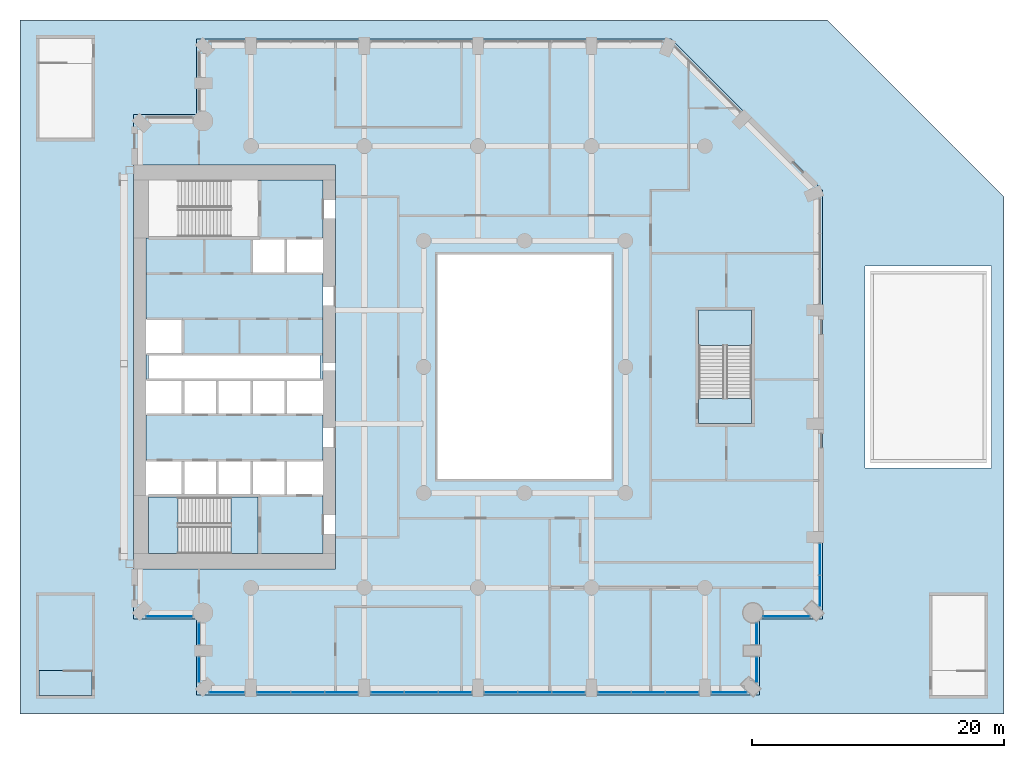
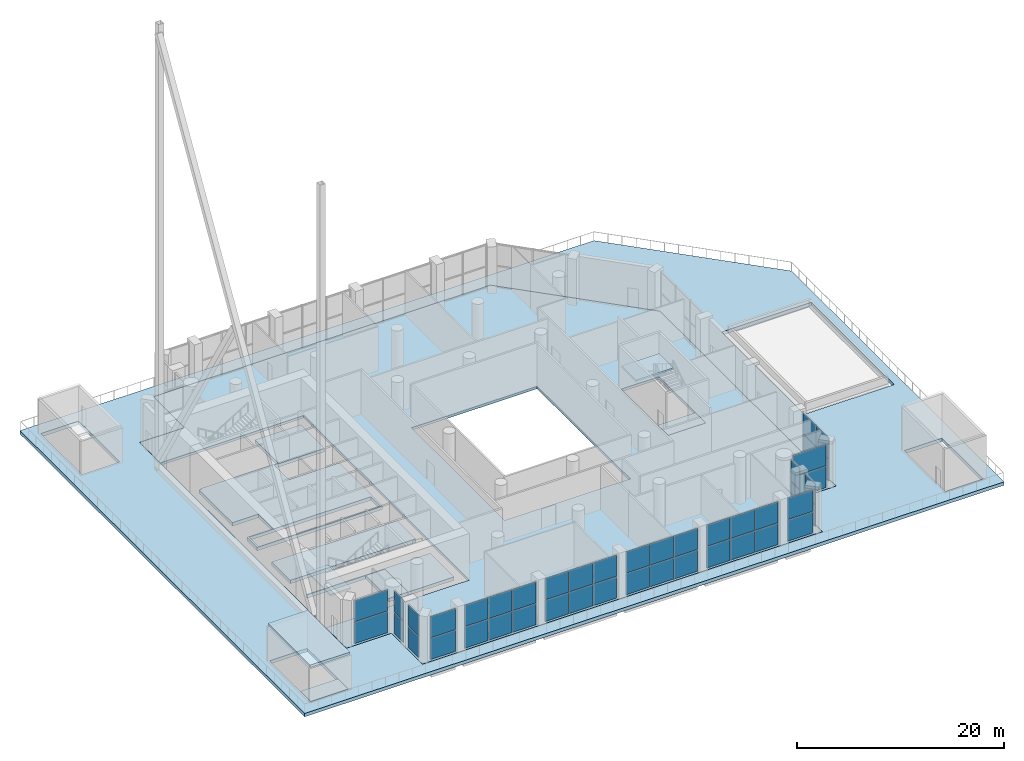
# One storey, part 11 of 26: 44 plates, 11 slabs, 15 elements without a shape of their own.
"""IFC4 building model written with IfcOpenShell, lengths in metres."""

from ifc_helpers import new_model, si_unit, direction, frame, origin, origin_2d, place, context, subcontext, project, spatial, polyline, rectangle, outline, extrude, material, layer, layer_set, type_object, element, aggregate, save


model = new_model("IFC4")

# Units and contexts
model_context = context("Model", 3, precision=1e-05, world=origin(), true_north=direction((0.0, 1.0)))
body_context = subcontext(model_context, "Body", "Model", "MODEL_VIEW")
ifc_project = project(units=[si_unit("LENGTHUNIT", "METRE"), si_unit("AREAUNIT", "SQUARE_METRE"), si_unit("VOLUMEUNIT", "CUBIC_METRE"), si_unit("PLANEANGLEUNIT", "RADIAN"), si_unit("MASSUNIT", "GRAM", prefix="KILO")], contexts=[model_context])

# Site, building, storey
site_placement = place(None, origin())
site = spatial("IfcSite", under=ifc_project, at=site_placement, CompositionType="ELEMENT")
building_placement = place(site_placement, origin())
building = spatial("IfcBuilding", under=site, at=building_placement, Name="Cypress Arch Tower", CompositionType="ELEMENT")
storey_placement = place(building_placement, frame((0.0, 0.0, 50.0)))
storey = spatial("IfcBuildingStorey", under=building, at=storey_placement, Name="L06", CompositionType="ELEMENT", Elevation=50.0)

# Slabs
ifc_material_1 = material(Name="Concrete C40/50", Category="concrete")
ifc_layer_1 = layer(ifc_material_1, 0.300048828125)
ifc_layer_set_1 = layer_set([ifc_layer_1], Name="Core floor CF300")
slab_type_1 = type_object("IfcSlabType", Name="Core floor CF300", PredefinedType="FLOOR", material=ifc_layer_set_1)
slab_1_placement = place(storey_placement, frame((0.0, 0.0, -0.300048828125)))
element("IfcSlab", 1, at=slab_1_placement, inside=storey, type_object=slab_type_1, Name="Stair floor landing", PredefinedType="FLOOR", context=body_context, shape_type="SweptSolid", body=[
    extrude(outline(polyline([(19.0, -4.5), (19.0, -2.5), (14.800048828125, -2.5), (14.800048828125, -4.5), (19.0, -4.5)])), origin(), (0.0, 0.0, 1.0), 0.300048828125),
])
slab_2_placement = place(storey_placement, frame((0.0, 0.0, -0.300048828125)))
element("IfcSlab", 2, at=slab_2_placement, inside=storey, type_object=slab_type_1, Name="Stair floor landing", PredefinedType="FLOOR", context=body_context, shape_type="SweptSolid", body=[
    extrude(outline(polyline([(-33.300048828125, -26.050048828125), (-33.300048828125, -24.050048828125), (-37.5, -24.050048828125), (-37.5, -26.050048828125), (-33.300048828125, -26.050048828125)])), origin(), (0.0, 0.0, 1.0), 0.300048828125),
])
ifc_material_2 = material(Name="Concrete C40/50", Category="concrete")
ifc_layer_2 = layer(ifc_material_2, 0.404052734375)
ifc_layer_set_2 = layer_set([ifc_layer_2], Name="Core floor CF404")
slab_type_2 = type_object("IfcSlabType", Name="Core floor CF404", PredefinedType="FLOOR", material=ifc_layer_set_2)
slab_3_placement = place(storey_placement, frame((0.0, 0.0, -0.404052734375)))
element("IfcSlab", 3, at=slab_3_placement, inside=storey, type_object=slab_type_2, Name="Core floor", PredefinedType="FLOOR", context=body_context, shape_type="SweptSolid", body=[
    extrude(outline(polyline([(-20.125, -14.800048828125), (-15.0, -14.800048828125), (-15.0, -10.199951171875), (-17.919921875, -10.199951171875), (-20.639892578125, -10.199951171875), (-23.360107421875, -10.199951171875), (-26.080078125, -10.199951171875), (-28.800048828125, -10.199951171875), (-28.800048828125, -10.324951171875), (-22.27490234375, -10.324951171875), (-20.125, -10.324951171875), (-20.125, -14.800048828125)])), origin(), (0.0, 0.0, 1.0), 0.404052734375),
])
slab_4_placement = place(storey_placement, frame((0.0, 0.0, -0.404052734375)))
element("IfcSlab", 4, at=slab_4_placement, inside=storey, type_object=slab_type_2, Name="Core floor", PredefinedType="FLOOR", context=body_context, shape_type="SweptSolid", body=[
    extrude(outline(polyline([(-29.0, -3.800048828125), (-29.0, -7.39990234375), (-26.080078125, -7.39990234375), (-23.360107421875, -7.39990234375), (-20.639892578125, -7.39990234375), (-17.919921875, -7.39990234375), (-15.0, -7.39990234375), (-15.0, -3.800048828125), (-17.919921875, -3.800048828125), (-20.639892578125, -3.800048828125), (-23.360107421875, -3.800048828125), (-26.080078125, -3.800048828125), (-29.0, -3.800048828125)])), origin(), (0.0, 0.0, 1.0), 0.404052734375),
])
slab_5_placement = place(storey_placement, frame((0.0, 0.0, -0.404052734375)))
element("IfcSlab", 5, at=slab_5_placement, inside=storey, type_object=slab_type_2, Name="Core floor", PredefinedType="FLOOR", context=body_context, shape_type="SweptSolid", body=[
    extrude(outline(polyline([(-26.080078125, 1.0), (-26.080078125, 3.800048828125), (-29.0, 3.800048828125), (-29.0, 10.199951171875), (-28.800048828125, 10.199951171875), (-28.800048828125, 10.324951171875), (-22.27490234375, 10.324951171875), (-20.125, 10.324951171875), (-20.125, 14.800048828125), (-15.0, 14.800048828125), (-15.0, 10.199951171875), (-17.919921875, 10.199951171875), (-20.639892578125, 10.199951171875), (-20.639892578125, 7.39990234375), (-17.919921875, 7.39990234375), (-15.0, 7.39990234375), (-15.0, -1.0), (-17.919921875, -1.0), (-20.639892578125, -1.0), (-23.360107421875, -1.0), (-26.080078125, -1.0), (-29.0, -1.0), (-29.0, 1.0), (-26.080078125, 1.0)]), holes=[polyline([(-28.800048828125, -0.89990234375), (-15.199951171875, -0.89990234375), (-15.199951171875, 0.89990234375), (-28.800048828125, 0.89990234375), (-28.800048828125, -0.89990234375)])]), origin(), (0.0, 0.0, 1.0), 0.404052734375),
])
slab_6_placement = place(storey_placement, frame((0.0, 0.0, -0.404052734375)))
element("IfcSlab", 6, at=slab_6_placement, inside=storey, type_object=slab_type_2, Name="Core floor", PredefinedType="FLOOR", context=body_context, shape_type="SweptSolid", body=[
    extrude(outline(polyline([(-22.27490234375, -10.324951171875), (-22.27490234375, -14.800048828125), (-20.125, -14.800048828125), (-20.125, -10.324951171875), (-22.27490234375, -10.324951171875)])), origin(), (0.0, 0.0, 1.0), 0.404052734375),
])

# Curtain wall, plates
ifc_material_3 = material(Name="Anodised aluminium, bronze finish, solar control laminated double glazing", Category="aluminium")
curtain_wall_type = type_object("IfcCurtainWallType", Name="Curtain wall CW3 sky lobby glazing", PredefinedType="NOTDEFINED", material=ifc_material_3)
curtain_wall_1_placement = place(storey_placement, origin())
curtain_wall_1 = element("IfcCurtainWall", 7, at=curtain_wall_1_placement, inside=storey, type_object=curtain_wall_type, Name="Curtain wall L06 A01.0.1", PredefinedType="NOTDEFINED")
ifc_material_4 = material(Name="Solar control laminated double glazing", Category="glass")
ifc_layer_3 = layer(ifc_material_4, 0.0439453125)
ifc_layer_set_3 = layer_set([ifc_layer_3], Name="Glass panel CW3 44")
plate_type = type_object("IfcPlateType", Name="Glass panel CW3 44", PredefinedType="CURTAIN_PANEL", material=ifc_layer_set_3)
plate_1_placement = place(storey_placement, frame((-27.1611328125, -19.800048828125, 0.0751953125), z_axis=(0.0, 0.0, 1.0), x_axis=(1.0, 0.0, 0.0)))
plate_1 = element("IfcPlate", 8, at=plate_1_placement, type_object=plate_type, Name="CW3 panel 1.1", PredefinedType="CURTAIN_PANEL", context=body_context, shape_type="SweptSolid", body=[
    extrude(rectangle(XDim=3.655029296875, YDim=0.0439453125, at=origin_2d()), origin(), (0.0, 0.0, 1.0), 2.487548828125),
])
plate_2_placement = place(storey_placement, frame((-27.1611328125, -19.800048828125, 2.6376953125), z_axis=(0.0, 0.0, 1.0), x_axis=(1.0, 0.0, 0.0)))
plate_2 = element("IfcPlate", 9, at=plate_2_placement, type_object=plate_type, Name="CW3 panel 1.2", PredefinedType="CURTAIN_PANEL", context=body_context, shape_type="SweptSolid", body=[
    extrude(rectangle(XDim=3.655029296875, YDim=0.0439453125, at=origin_2d()), origin(), (0.0, 0.0, 1.0), 2.487548828125),
])
aggregate(curtain_wall_1, [plate_1, plate_2])

curtain_wall_2_placement = place(storey_placement, origin())
curtain_wall_2 = element("IfcCurtainWall", 10, at=curtain_wall_2_placement, inside=storey, type_object=curtain_wall_type, Name="Curtain wall L06 A02.0.1", PredefinedType="NOTDEFINED")
plate_3_placement = place(storey_placement, frame((-24.800048828125, -21.154296875, 0.0751953125), z_axis=(0.0, 0.0, 1.0), x_axis=(0.0, -1.0, 0.0)))
plate_3 = element("IfcPlate", 11, at=plate_3_placement, type_object=plate_type, Name="CW3 panel 1.1", PredefinedType="CURTAIN_PANEL", context=body_context, shape_type="SweptSolid", body=[
    extrude(rectangle(XDim=1.6416015625, YDim=0.0439453125, at=origin_2d()), origin(), (0.0, 0.0, 1.0), 2.487548828125),
])
plate_4_placement = place(storey_placement, frame((-24.800048828125, -21.154296875, 2.6376953125), z_axis=(0.0, 0.0, 1.0), x_axis=(0.0, -1.0, 0.0)))
plate_4 = element("IfcPlate", 12, at=plate_4_placement, type_object=plate_type, Name="CW3 panel 1.2", PredefinedType="CURTAIN_PANEL", context=body_context, shape_type="SweptSolid", body=[
    extrude(rectangle(XDim=1.6416015625, YDim=0.0439453125, at=origin_2d()), origin(), (0.0, 0.0, 1.0), 2.487548828125),
])
aggregate(curtain_wall_2, [plate_3, plate_4])

curtain_wall_3_placement = place(storey_placement, origin())
curtain_wall_3 = element("IfcCurtainWall", 13, at=curtain_wall_3_placement, inside=storey, type_object=curtain_wall_type, Name="Curtain wall L06 A02.1.1", PredefinedType="NOTDEFINED")
plate_5_placement = place(storey_placement, frame((-24.800048828125, -24.0068359375, 0.0751953125), z_axis=(0.0, 0.0, 1.0), x_axis=(0.0, -1.0, 0.0)))
plate_5 = element("IfcPlate", 14, at=plate_5_placement, type_object=plate_type, Name="CW3 panel 1.1", PredefinedType="CURTAIN_PANEL", context=body_context, shape_type="SweptSolid", body=[
    extrude(rectangle(XDim=1.963623046875, YDim=0.0439453125, at=origin_2d()), origin(), (0.0, 0.0, 1.0), 2.487548828125),
])
plate_6_placement = place(storey_placement, frame((-24.800048828125, -24.0068359375, 2.6376953125), z_axis=(0.0, 0.0, 1.0), x_axis=(0.0, -1.0, 0.0)))
plate_6 = element("IfcPlate", 15, at=plate_6_placement, type_object=plate_type, Name="CW3 panel 1.2", PredefinedType="CURTAIN_PANEL", context=body_context, shape_type="SweptSolid", body=[
    extrude(rectangle(XDim=1.963623046875, YDim=0.0439453125, at=origin_2d()), origin(), (0.0, 0.0, 1.0), 2.487548828125),
])
aggregate(curtain_wall_3, [plate_5, plate_6])

curtain_wall_4_placement = place(storey_placement, origin())
curtain_wall_4 = element("IfcCurtainWall", 16, at=curtain_wall_4_placement, inside=storey, type_object=curtain_wall_type, Name="Curtain wall L06 A03.0.1", PredefinedType="NOTDEFINED")
plate_7_placement = place(storey_placement, frame((-22.606689453125, -25.800048828125, 0.0751953125), z_axis=(0.0, 0.0, 1.0), x_axis=(1.0, 0.0, 0.0)))
plate_7 = element("IfcPlate", 17, at=plate_7_placement, type_object=plate_type, Name="CW3 panel 1.1", PredefinedType="CURTAIN_PANEL", context=body_context, shape_type="SweptSolid", body=[
    extrude(rectangle(XDim=2.763671875, YDim=0.0439453125, at=origin_2d()), origin(), (0.0, 0.0, 1.0), 2.487548828125),
])
plate_8_placement = place(storey_placement, frame((-22.606689453125, -25.800048828125, 2.6376953125), z_axis=(0.0, 0.0, 1.0), x_axis=(1.0, 0.0, 0.0)))
plate_8 = element("IfcPlate", 18, at=plate_8_placement, type_object=plate_type, Name="CW3 panel 1.2", PredefinedType="CURTAIN_PANEL", context=body_context, shape_type="SweptSolid", body=[
    extrude(rectangle(XDim=2.763671875, YDim=0.0439453125, at=origin_2d()), origin(), (0.0, 0.0, 1.0), 2.487548828125),
])
aggregate(curtain_wall_4, [plate_7, plate_8])

curtain_wall_5_placement = place(storey_placement, origin())
curtain_wall_5 = element("IfcCurtainWall", 19, at=curtain_wall_5_placement, inside=storey, type_object=curtain_wall_type, Name="Curtain wall L06 A03.1.1", PredefinedType="NOTDEFINED")
plate_9_placement = place(storey_placement, frame((-18.88134765625, -25.800048828125, 0.0751953125), z_axis=(0.0, 0.0, 1.0), x_axis=(1.0, 0.0, 0.0)))
plate_9 = element("IfcPlate", 20, at=plate_9_placement, type_object=plate_type, Name="CW3 panel 1.1", PredefinedType="CURTAIN_PANEL", context=body_context, shape_type="SweptSolid", body=[
    extrude(rectangle(XDim=2.58740234375, YDim=0.0439453125, at=origin_2d()), origin(), (0.0, 0.0, 1.0), 2.487548828125),
])
plate_10_placement = place(storey_placement, frame((-18.88134765625, -25.800048828125, 2.6376953125), z_axis=(0.0, 0.0, 1.0), x_axis=(1.0, 0.0, 0.0)))
plate_10 = element("IfcPlate", 21, at=plate_10_placement, type_object=plate_type, Name="CW3 panel 1.2", PredefinedType="CURTAIN_PANEL", context=body_context, shape_type="SweptSolid", body=[
    extrude(rectangle(XDim=2.58740234375, YDim=0.0439453125, at=origin_2d()), origin(), (0.0, 0.0, 1.0), 2.487548828125),
])
plate_11_placement = place(storey_placement, frame((-16.199951171875, -25.800048828125, 0.0751953125), z_axis=(0.0, 0.0, 1.0), x_axis=(1.0, 0.0, 0.0)))
plate_11 = element("IfcPlate", 22, at=plate_11_placement, type_object=plate_type, Name="CW3 panel 2.1", PredefinedType="CURTAIN_PANEL", context=body_context, shape_type="SweptSolid", body=[
    extrude(rectangle(XDim=2.625, YDim=0.0439453125, at=origin_2d()), origin(), (0.0, 0.0, 1.0), 2.487548828125),
])
plate_12_placement = place(storey_placement, frame((-16.199951171875, -25.800048828125, 2.6376953125), z_axis=(0.0, 0.0, 1.0), x_axis=(1.0, 0.0, 0.0)))
plate_12 = element("IfcPlate", 23, at=plate_12_placement, type_object=plate_type, Name="CW3 panel 2.2", PredefinedType="CURTAIN_PANEL", context=body_context, shape_type="SweptSolid", body=[
    extrude(rectangle(XDim=2.625, YDim=0.0439453125, at=origin_2d()), origin(), (0.0, 0.0, 1.0), 2.487548828125),
])
plate_13_placement = place(storey_placement, frame((-13.518798828125, -25.800048828125, 0.0751953125), z_axis=(0.0, 0.0, 1.0), x_axis=(1.0, 0.0, 0.0)))
plate_13 = element("IfcPlate", 24, at=plate_13_placement, type_object=plate_type, Name="CW3 panel 3.1", PredefinedType="CURTAIN_PANEL", context=body_context, shape_type="SweptSolid", body=[
    extrude(rectangle(XDim=2.58740234375, YDim=0.0439453125, at=origin_2d()), origin(), (0.0, 0.0, 1.0), 2.487548828125),
])
plate_14_placement = place(storey_placement, frame((-13.518798828125, -25.800048828125, 2.6376953125), z_axis=(0.0, 0.0, 1.0), x_axis=(1.0, 0.0, 0.0)))
plate_14 = element("IfcPlate", 25, at=plate_14_placement, type_object=plate_type, Name="CW3 panel 3.2", PredefinedType="CURTAIN_PANEL", context=body_context, shape_type="SweptSolid", body=[
    extrude(rectangle(XDim=2.58740234375, YDim=0.0439453125, at=origin_2d()), origin(), (0.0, 0.0, 1.0), 2.487548828125),
])
aggregate(curtain_wall_5, [plate_9, plate_10, plate_11, plate_12, plate_13, plate_14])

curtain_wall_6_placement = place(storey_placement, origin())
curtain_wall_6 = element("IfcCurtainWall", 26, at=curtain_wall_6_placement, inside=storey, type_object=curtain_wall_type, Name="Curtain wall L06 A03.2.1", PredefinedType="NOTDEFINED")
plate_15_placement = place(storey_placement, frame((-9.88134765625, -25.800048828125, 0.0751953125), z_axis=(0.0, 0.0, 1.0), x_axis=(1.0, 0.0, 0.0)))
plate_15 = element("IfcPlate", 27, at=plate_15_placement, type_object=plate_type, Name="CW3 panel 1.1", PredefinedType="CURTAIN_PANEL", context=body_context, shape_type="SweptSolid", body=[
    extrude(rectangle(XDim=2.58740234375, YDim=0.0439453125, at=origin_2d()), origin(), (0.0, 0.0, 1.0), 2.487548828125),
])
plate_16_placement = place(storey_placement, frame((-9.88134765625, -25.800048828125, 2.6376953125), z_axis=(0.0, 0.0, 1.0), x_axis=(1.0, 0.0, 0.0)))
plate_16 = element("IfcPlate", 28, at=plate_16_placement, type_object=plate_type, Name="CW3 panel 1.2", PredefinedType="CURTAIN_PANEL", context=body_context, shape_type="SweptSolid", body=[
    extrude(rectangle(XDim=2.58740234375, YDim=0.0439453125, at=origin_2d()), origin(), (0.0, 0.0, 1.0), 2.487548828125),
])
plate_17_placement = place(storey_placement, frame((-7.199951171875, -25.800048828125, 0.0751953125), z_axis=(0.0, 0.0, 1.0), x_axis=(1.0, 0.0, 0.0)))
plate_17 = element("IfcPlate", 29, at=plate_17_placement, type_object=plate_type, Name="CW3 panel 2.1", PredefinedType="CURTAIN_PANEL", context=body_context, shape_type="SweptSolid", body=[
    extrude(rectangle(XDim=2.625, YDim=0.0439453125, at=origin_2d()), origin(), (0.0, 0.0, 1.0), 2.487548828125),
])
plate_18_placement = place(storey_placement, frame((-7.199951171875, -25.800048828125, 2.6376953125), z_axis=(0.0, 0.0, 1.0), x_axis=(1.0, 0.0, 0.0)))
plate_18 = element("IfcPlate", 30, at=plate_18_placement, type_object=plate_type, Name="CW3 panel 2.2", PredefinedType="CURTAIN_PANEL", context=body_context, shape_type="SweptSolid", body=[
    extrude(rectangle(XDim=2.625, YDim=0.0439453125, at=origin_2d()), origin(), (0.0, 0.0, 1.0), 2.487548828125),
])
plate_19_placement = place(storey_placement, frame((-4.518798828125, -25.800048828125, 0.0751953125), z_axis=(0.0, 0.0, 1.0), x_axis=(1.0, 0.0, 0.0)))
plate_19 = element("IfcPlate", 31, at=plate_19_placement, type_object=plate_type, Name="CW3 panel 3.1", PredefinedType="CURTAIN_PANEL", context=body_context, shape_type="SweptSolid", body=[
    extrude(rectangle(XDim=2.58740234375, YDim=0.0439453125, at=origin_2d()), origin(), (0.0, 0.0, 1.0), 2.487548828125),
])
plate_20_placement = place(storey_placement, frame((-4.518798828125, -25.800048828125, 2.6376953125), z_axis=(0.0, 0.0, 1.0), x_axis=(1.0, 0.0, 0.0)))
plate_20 = element("IfcPlate", 32, at=plate_20_placement, type_object=plate_type, Name="CW3 panel 3.2", PredefinedType="CURTAIN_PANEL", context=body_context, shape_type="SweptSolid", body=[
    extrude(rectangle(XDim=2.58740234375, YDim=0.0439453125, at=origin_2d()), origin(), (0.0, 0.0, 1.0), 2.487548828125),
])
aggregate(curtain_wall_6, [plate_15, plate_16, plate_17, plate_18, plate_19, plate_20])

curtain_wall_7_placement = place(storey_placement, origin())
curtain_wall_7 = element("IfcCurtainWall", 33, at=curtain_wall_7_placement, inside=storey, type_object=curtain_wall_type, Name="Curtain wall L06 A03.3.1", PredefinedType="NOTDEFINED")
plate_21_placement = place(storey_placement, frame((-0.88134765625, -25.800048828125, 0.0751953125), z_axis=(0.0, 0.0, 1.0), x_axis=(1.0, 0.0, 0.0)))
plate_21 = element("IfcPlate", 34, at=plate_21_placement, type_object=plate_type, Name="CW3 panel 1.1", PredefinedType="CURTAIN_PANEL", context=body_context, shape_type="SweptSolid", body=[
    extrude(rectangle(XDim=2.58740234375, YDim=0.0439453125, at=origin_2d()), origin(), (0.0, 0.0, 1.0), 2.487548828125),
])
plate_22_placement = place(storey_placement, frame((-0.88134765625, -25.800048828125, 2.6376953125), z_axis=(0.0, 0.0, 1.0), x_axis=(1.0, 0.0, 0.0)))
plate_22 = element("IfcPlate", 35, at=plate_22_placement, type_object=plate_type, Name="CW3 panel 1.2", PredefinedType="CURTAIN_PANEL", context=body_context, shape_type="SweptSolid", body=[
    extrude(rectangle(XDim=2.58740234375, YDim=0.0439453125, at=origin_2d()), origin(), (0.0, 0.0, 1.0), 2.487548828125),
])
plate_23_placement = place(storey_placement, frame((1.800048828125, -25.800048828125, 0.0751953125), z_axis=(0.0, 0.0, 1.0), x_axis=(1.0, 0.0, 0.0)))
plate_23 = element("IfcPlate", 36, at=plate_23_placement, type_object=plate_type, Name="CW3 panel 2.1", PredefinedType="CURTAIN_PANEL", context=body_context, shape_type="SweptSolid", body=[
    extrude(rectangle(XDim=2.625, YDim=0.0439453125, at=origin_2d()), origin(), (0.0, 0.0, 1.0), 2.487548828125),
])
plate_24_placement = place(storey_placement, frame((1.800048828125, -25.800048828125, 2.6376953125), z_axis=(0.0, 0.0, 1.0), x_axis=(1.0, 0.0, 0.0)))
plate_24 = element("IfcPlate", 37, at=plate_24_placement, type_object=plate_type, Name="CW3 panel 2.2", PredefinedType="CURTAIN_PANEL", context=body_context, shape_type="SweptSolid", body=[
    extrude(rectangle(XDim=2.625, YDim=0.0439453125, at=origin_2d()), origin(), (0.0, 0.0, 1.0), 2.487548828125),
])
plate_25_placement = place(storey_placement, frame((4.481201171875, -25.800048828125, 0.0751953125), z_axis=(0.0, 0.0, 1.0), x_axis=(1.0, 0.0, 0.0)))
plate_25 = element("IfcPlate", 38, at=plate_25_placement, type_object=plate_type, Name="CW3 panel 3.1", PredefinedType="CURTAIN_PANEL", context=body_context, shape_type="SweptSolid", body=[
    extrude(rectangle(XDim=2.58740234375, YDim=0.0439453125, at=origin_2d()), origin(), (0.0, 0.0, 1.0), 2.487548828125),
])
plate_26_placement = place(storey_placement, frame((4.481201171875, -25.800048828125, 2.6376953125), z_axis=(0.0, 0.0, 1.0), x_axis=(1.0, 0.0, 0.0)))
plate_26 = element("IfcPlate", 39, at=plate_26_placement, type_object=plate_type, Name="CW3 panel 3.2", PredefinedType="CURTAIN_PANEL", context=body_context, shape_type="SweptSolid", body=[
    extrude(rectangle(XDim=2.58740234375, YDim=0.0439453125, at=origin_2d()), origin(), (0.0, 0.0, 1.0), 2.487548828125),
])
aggregate(curtain_wall_7, [plate_21, plate_22, plate_23, plate_24, plate_25, plate_26])

curtain_wall_8_placement = place(storey_placement, origin())
curtain_wall_8 = element("IfcCurtainWall", 40, at=curtain_wall_8_placement, inside=storey, type_object=curtain_wall_type, Name="Curtain wall L06 A03.4.1", PredefinedType="NOTDEFINED")
plate_27_placement = place(storey_placement, frame((8.11865234375, -25.800048828125, 0.0751953125), z_axis=(0.0, 0.0, 1.0), x_axis=(1.0, 0.0, 0.0)))
plate_27 = element("IfcPlate", 41, at=plate_27_placement, type_object=plate_type, Name="CW3 panel 1.1", PredefinedType="CURTAIN_PANEL", context=body_context, shape_type="SweptSolid", body=[
    extrude(rectangle(XDim=2.58740234375, YDim=0.0439453125, at=origin_2d()), origin(), (0.0, 0.0, 1.0), 2.487548828125),
])
plate_28_placement = place(storey_placement, frame((8.11865234375, -25.800048828125, 2.6376953125), z_axis=(0.0, 0.0, 1.0), x_axis=(1.0, 0.0, 0.0)))
plate_28 = element("IfcPlate", 42, at=plate_28_placement, type_object=plate_type, Name="CW3 panel 1.2", PredefinedType="CURTAIN_PANEL", context=body_context, shape_type="SweptSolid", body=[
    extrude(rectangle(XDim=2.58740234375, YDim=0.0439453125, at=origin_2d()), origin(), (0.0, 0.0, 1.0), 2.487548828125),
])
plate_29_placement = place(storey_placement, frame((10.800048828125, -25.800048828125, 0.0751953125), z_axis=(0.0, 0.0, 1.0), x_axis=(1.0, 0.0, 0.0)))
plate_29 = element("IfcPlate", 43, at=plate_29_placement, type_object=plate_type, Name="CW3 panel 2.1", PredefinedType="CURTAIN_PANEL", context=body_context, shape_type="SweptSolid", body=[
    extrude(rectangle(XDim=2.625, YDim=0.0439453125, at=origin_2d()), origin(), (0.0, 0.0, 1.0), 2.487548828125),
])
plate_30_placement = place(storey_placement, frame((10.800048828125, -25.800048828125, 2.6376953125), z_axis=(0.0, 0.0, 1.0), x_axis=(1.0, 0.0, 0.0)))
plate_30 = element("IfcPlate", 44, at=plate_30_placement, type_object=plate_type, Name="CW3 panel 2.2", PredefinedType="CURTAIN_PANEL", context=body_context, shape_type="SweptSolid", body=[
    extrude(rectangle(XDim=2.625, YDim=0.0439453125, at=origin_2d()), origin(), (0.0, 0.0, 1.0), 2.487548828125),
])
plate_31_placement = place(storey_placement, frame((13.481201171875, -25.800048828125, 0.0751953125), z_axis=(0.0, 0.0, 1.0), x_axis=(1.0, 0.0, 0.0)))
plate_31 = element("IfcPlate", 45, at=plate_31_placement, type_object=plate_type, Name="CW3 panel 3.1", PredefinedType="CURTAIN_PANEL", context=body_context, shape_type="SweptSolid", body=[
    extrude(rectangle(XDim=2.58740234375, YDim=0.0439453125, at=origin_2d()), origin(), (0.0, 0.0, 1.0), 2.487548828125),
])
plate_32_placement = place(storey_placement, frame((13.481201171875, -25.800048828125, 2.6376953125), z_axis=(0.0, 0.0, 1.0), x_axis=(1.0, 0.0, 0.0)))
plate_32 = element("IfcPlate", 46, at=plate_32_placement, type_object=plate_type, Name="CW3 panel 3.2", PredefinedType="CURTAIN_PANEL", context=body_context, shape_type="SweptSolid", body=[
    extrude(rectangle(XDim=2.58740234375, YDim=0.0439453125, at=origin_2d()), origin(), (0.0, 0.0, 1.0), 2.487548828125),
])
aggregate(curtain_wall_8, [plate_27, plate_28, plate_29, plate_30, plate_31, plate_32])

curtain_wall_9_placement = place(storey_placement, origin())
curtain_wall_9 = element("IfcCurtainWall", 47, at=curtain_wall_9_placement, inside=storey, type_object=curtain_wall_type, Name="Curtain wall L06 A03.5.1", PredefinedType="NOTDEFINED")
plate_33_placement = place(storey_placement, frame((17.206787109375, -25.800048828125, 0.0751953125), z_axis=(0.0, 0.0, 1.0), x_axis=(1.0, 0.0, 0.0)))
plate_33 = element("IfcPlate", 48, at=plate_33_placement, type_object=plate_type, Name="CW3 panel 1.1", PredefinedType="CURTAIN_PANEL", context=body_context, shape_type="SweptSolid", body=[
    extrude(rectangle(XDim=2.763671875, YDim=0.0439453125, at=origin_2d()), origin(), (0.0, 0.0, 1.0), 2.487548828125),
])
plate_34_placement = place(storey_placement, frame((17.206787109375, -25.800048828125, 2.6376953125), z_axis=(0.0, 0.0, 1.0), x_axis=(1.0, 0.0, 0.0)))
plate_34 = element("IfcPlate", 49, at=plate_34_placement, type_object=plate_type, Name="CW3 panel 1.2", PredefinedType="CURTAIN_PANEL", context=body_context, shape_type="SweptSolid", body=[
    extrude(rectangle(XDim=2.763671875, YDim=0.0439453125, at=origin_2d()), origin(), (0.0, 0.0, 1.0), 2.487548828125),
])
aggregate(curtain_wall_9, [plate_33, plate_34])

curtain_wall_10_placement = place(storey_placement, origin())
curtain_wall_10 = element("IfcCurtainWall", 50, at=curtain_wall_10_placement, inside=storey, type_object=curtain_wall_type, Name="Curtain wall L06 A04.0.1", PredefinedType="NOTDEFINED")
plate_35_placement = place(storey_placement, frame((19.39990234375, -24.0068359375, 0.0751953125), z_axis=(0.0, 0.0, 1.0), x_axis=(0.0, 1.0, 0.0)))
plate_35 = element("IfcPlate", 51, at=plate_35_placement, type_object=plate_type, Name="CW3 panel 1.1", PredefinedType="CURTAIN_PANEL", context=body_context, shape_type="SweptSolid", body=[
    extrude(rectangle(XDim=1.963623046875, YDim=0.0439453125, at=origin_2d()), origin(), (0.0, 0.0, 1.0), 2.487548828125),
])
plate_36_placement = place(storey_placement, frame((19.39990234375, -24.0068359375, 2.6376953125), z_axis=(0.0, 0.0, 1.0), x_axis=(0.0, 1.0, 0.0)))
plate_36 = element("IfcPlate", 52, at=plate_36_placement, type_object=plate_type, Name="CW3 panel 1.2", PredefinedType="CURTAIN_PANEL", context=body_context, shape_type="SweptSolid", body=[
    extrude(rectangle(XDim=1.963623046875, YDim=0.0439453125, at=origin_2d()), origin(), (0.0, 0.0, 1.0), 2.487548828125),
])
aggregate(curtain_wall_10, [plate_35, plate_36])

curtain_wall_11_placement = place(storey_placement, origin())
curtain_wall_11 = element("IfcCurtainWall", 53, at=curtain_wall_11_placement, inside=storey, type_object=curtain_wall_type, Name="Curtain wall L06 A04.1.1", PredefinedType="NOTDEFINED")
plate_37_placement = place(storey_placement, frame((19.39990234375, -21.154296875, 0.0751953125), z_axis=(0.0, 0.0, 1.0), x_axis=(0.0, 1.0, 0.0)))
plate_37 = element("IfcPlate", 54, at=plate_37_placement, type_object=plate_type, Name="CW3 panel 1.1", PredefinedType="CURTAIN_PANEL", context=body_context, shape_type="SweptSolid", body=[
    extrude(rectangle(XDim=1.6416015625, YDim=0.0439453125, at=origin_2d()), origin(), (0.0, 0.0, 1.0), 2.487548828125),
])
plate_38_placement = place(storey_placement, frame((19.39990234375, -21.154296875, 2.6376953125), z_axis=(0.0, 0.0, 1.0), x_axis=(0.0, 1.0, 0.0)))
plate_38 = element("IfcPlate", 55, at=plate_38_placement, type_object=plate_type, Name="CW3 panel 1.2", PredefinedType="CURTAIN_PANEL", context=body_context, shape_type="SweptSolid", body=[
    extrude(rectangle(XDim=1.6416015625, YDim=0.0439453125, at=origin_2d()), origin(), (0.0, 0.0, 1.0), 2.487548828125),
])
aggregate(curtain_wall_11, [plate_37, plate_38])

curtain_wall_12_placement = place(storey_placement, origin())
curtain_wall_12 = element("IfcCurtainWall", 56, at=curtain_wall_12_placement, inside=storey, type_object=curtain_wall_type, Name="Curtain wall L06 A05.0.1", PredefinedType="NOTDEFINED")
plate_39_placement = place(storey_placement, frame((21.760986328125, -19.800048828125, 0.0751953125), z_axis=(0.0, 0.0, 1.0), x_axis=(1.0, 0.0, 0.0)))
plate_39 = element("IfcPlate", 57, at=plate_39_placement, type_object=plate_type, Name="CW3 panel 1.1", PredefinedType="CURTAIN_PANEL", context=body_context, shape_type="SweptSolid", body=[
    extrude(rectangle(XDim=3.655029296875, YDim=0.0439453125, at=origin_2d()), origin(), (0.0, 0.0, 1.0), 2.487548828125),
])
plate_40_placement = place(storey_placement, frame((21.760986328125, -19.800048828125, 2.6376953125), z_axis=(0.0, 0.0, 1.0), x_axis=(1.0, 0.0, 0.0)))
plate_40 = element("IfcPlate", 58, at=plate_40_placement, type_object=plate_type, Name="CW3 panel 1.2", PredefinedType="CURTAIN_PANEL", context=body_context, shape_type="SweptSolid", body=[
    extrude(rectangle(XDim=3.655029296875, YDim=0.0439453125, at=origin_2d()), origin(), (0.0, 0.0, 1.0), 2.487548828125),
])
aggregate(curtain_wall_12, [plate_39, plate_40])

curtain_wall_13_placement = place(storey_placement, origin())
curtain_wall_13 = element("IfcCurtainWall", 59, at=curtain_wall_13_placement, inside=storey, type_object=curtain_wall_type, Name="Curtain wall L06 A06.0.1", PredefinedType="NOTDEFINED")
plate_41_placement = place(storey_placement, frame((24.39990234375, -17.766357421875, 0.0751953125), z_axis=(0.0, 0.0, 1.0), x_axis=(0.0, 1.0, 0.0)))
plate_41 = element("IfcPlate", 60, at=plate_41_placement, type_object=plate_type, Name="CW3 panel 1.1", PredefinedType="CURTAIN_PANEL", context=body_context, shape_type="SweptSolid", body=[
    extrude(rectangle(XDim=2.4443359375, YDim=0.0439453125, at=origin_2d()), origin(), (0.0, 0.0, 1.0), 2.487548828125),
])
plate_42_placement = place(storey_placement, frame((24.39990234375, -17.766357421875, 2.6376953125), z_axis=(0.0, 0.0, 1.0), x_axis=(0.0, 1.0, 0.0)))
plate_42 = element("IfcPlate", 61, at=plate_42_placement, type_object=plate_type, Name="CW3 panel 1.2", PredefinedType="CURTAIN_PANEL", context=body_context, shape_type="SweptSolid", body=[
    extrude(rectangle(XDim=2.4443359375, YDim=0.0439453125, at=origin_2d()), origin(), (0.0, 0.0, 1.0), 2.487548828125),
])
plate_43_placement = place(storey_placement, frame((24.39990234375, -15.2470703125, 0.0751953125), z_axis=(0.0, 0.0, 1.0), x_axis=(0.0, 1.0, 0.0)))
plate_43 = element("IfcPlate", 62, at=plate_43_placement, type_object=plate_type, Name="CW3 panel 2.1", PredefinedType="CURTAIN_PANEL", context=body_context, shape_type="SweptSolid", body=[
    extrude(rectangle(XDim=2.4443359375, YDim=0.0439453125, at=origin_2d()), origin(), (0.0, 0.0, 1.0), 2.487548828125),
])
plate_44_placement = place(storey_placement, frame((24.39990234375, -15.2470703125, 2.6376953125), z_axis=(0.0, 0.0, 1.0), x_axis=(0.0, 1.0, 0.0)))
plate_44 = element("IfcPlate", 63, at=plate_44_placement, type_object=plate_type, Name="CW3 panel 2.2", PredefinedType="CURTAIN_PANEL", context=body_context, shape_type="SweptSolid", body=[
    extrude(rectangle(XDim=2.4443359375, YDim=0.0439453125, at=origin_2d()), origin(), (0.0, 0.0, 1.0), 2.487548828125),
])
aggregate(curtain_wall_13, [plate_41, plate_42, plate_43, plate_44])

# Slabs
ifc_material_5 = material(Name="Concrete C40/50", Category="concrete")
ifc_layer_4 = layer(ifc_material_5, 0.300048828125)
ifc_layer_set_4 = layer_set([ifc_layer_4], Name="PT flat slab 300 Concrete C40/50")
slab_type_3 = type_object("IfcSlabType", Name="PT flat slab 300 Concrete C40/50", PredefinedType="FLOOR", material=ifc_layer_set_4)
slab_7_placement = place(storey_placement, frame((0.0, 0.0, -0.300048828125)))
element("IfcSlab", 64, at=slab_7_placement, inside=storey, type_object=slab_type_3, Name="Floor slab L06", PredefinedType="FLOOR", context=body_context, shape_type="SweptSolid", body=[
    extrude(outline(polyline([(-30.0, 20.0), (-25.0, 20.0), (-25.0, 26.0), (12.60009765625, 26.0), (24.60009765625, 14.0), (24.60009765625, -20.0), (19.60009765625, -20.0), (19.60009765625, -26.0), (-25.0, -26.0), (-25.0, -20.0), (-30.0, -20.0), (-30.0, -16.0), (-14.0, -16.0), (-14.0, 16.0), (-30.0, 16.0), (-30.0, 20.0)]), holes=[polyline([(-6.0, -9.0), (8.0, -9.0), (8.0, 9.0), (-6.0, 9.0), (-6.0, -9.0)]), polyline([(14.800048828125, 4.5), (14.800048828125, -4.5), (19.0, -4.5), (19.0, 4.5), (14.800048828125, 4.5)])]), origin(), (0.0, 0.0, 1.0), 0.300048828125),
])
ifc_material_6 = material(Name="Concrete C40/50", Category="concrete")
ifc_layer_5 = layer(ifc_material_6, 0.402099609375)
ifc_layer_set_5 = layer_set([ifc_layer_5], Name="Podium roof slab 402 Concrete C40/50")
slab_type_4 = type_object("IfcSlabType", Name="Podium roof slab 402 Concrete C40/50", PredefinedType="ROOF", material=ifc_layer_set_5)
slab_8_placement = place(storey_placement, frame((0.0, 0.0, -0.402099609375)))
element("IfcSlab", 65, at=slab_8_placement, inside=storey, type_object=slab_type_4, Name="Podium roof terrace slab", PredefinedType="ROOF", context=body_context, shape_type="SweptSolid", body=[
    extrude(outline(polyline([(25.0, 27.5), (39.0, 13.5), (39.0, -27.5), (-39.0, -27.5), (-39.0, 27.5), (25.0, 27.5)]), holes=[polyline([(-25.0, -20.0), (-25.0, -26.0), (19.60009765625, -26.0), (19.60009765625, -20.0), (24.60009765625, -20.0), (24.60009765625, 14.0), (12.60009765625, 26.0), (-25.0, 26.0), (-25.0, 20.0), (-30.0, 20.0), (-30.0, -20.0), (-25.0, -20.0)]), polyline([(-37.5, -26.050048828125), (-33.300048828125, -26.050048828125), (-33.300048828125, -18.1298828125), (-37.5, -18.1298828125), (-37.5, -26.050048828125)]), polyline([(33.300048828125, -18.1298828125), (33.300048828125, -26.050048828125), (37.5, -26.050048828125), (37.5, -18.1298828125), (33.300048828125, -18.1298828125)]), polyline([(28.0, 8.0), (28.0, -8.0), (38.0, -8.0), (38.0, 8.0), (28.0, 8.0)]), polyline([(-33.300048828125, 18.1298828125), (-33.300048828125, 26.050048828125), (-37.5, 26.050048828125), (-37.5, 18.1298828125), (-33.300048828125, 18.1298828125)])]), origin(), (0.0, 0.0, 1.0), 0.402099609375),
])
ifc_material_7 = material(Name="Concrete C40/50", Category="concrete")
ifc_layer_6 = layer(ifc_material_7, 0.300048828125)
ifc_layer_set_6 = layer_set([ifc_layer_6], Name="Stair head-house roof SR")
slab_type_5 = type_object("IfcSlabType", Name="Stair head-house roof SR", PredefinedType="ROOF", material=ifc_layer_set_6)
slab_9_placement = place(storey_placement, frame((0.0, 0.0, 4.10009765625)))
element("IfcSlab", 66, at=slab_9_placement, inside=storey, type_object=slab_type_5, Name="Stair head-house roof P1", PredefinedType="ROOF", context=body_context, shape_type="SweptSolid", body=[
    extrude(outline(polyline([(-33.175048828125, -26.175048828125), (-33.175048828125, -18.0048828125), (-37.625, -18.0048828125), (-37.625, -26.175048828125), (-33.175048828125, -26.175048828125)])), origin(), (0.0, 0.0, 1.0), 0.2998046875),
])

# Stair, slab
ifc_material_8 = material(Name="Concrete C40/50", Category="concrete")
stair_type_1 = type_object("IfcStairType", Name="Exit stair ES1719-215", PredefinedType="HALF_TURN_STAIR", material=ifc_material_8)
stair_1_placement = place(storey_placement, origin())
stair_1 = element("IfcStair", 67, at=stair_1_placement, inside=storey, type_object=stair_type_1, Name="L06 Exit stair A", PredefinedType="HALF_TURN_STAIR")
ifc_material_9 = material(Name="Concrete C40/50", Category="concrete")
ifc_layer_7 = layer(ifc_material_9, 0.199951171875)
ifc_layer_set_7 = layer_set([ifc_layer_7], Name="Stair landing SL200")
slab_type_6 = type_object("IfcSlabType", Name="Stair landing SL200", PredefinedType="LANDING", material=ifc_layer_set_7)
slab_10_placement = place(storey_placement, frame((0.0, 0.0, 2.550048828125)))
slab_10 = element("IfcSlab", 68, at=slab_10_placement, type_object=slab_type_6, Name="A landing 1", PredefinedType="LANDING", context=body_context, shape_type="SweptSolid", body=[
    extrude(outline(polyline([(-26.47509765625, -10.324951171875), (-28.800048828125, -10.324951171875), (-28.800048828125, -14.800048828125), (-26.47509765625, -14.800048828125), (-26.47509765625, -10.324951171875)])), origin(), (0.0, 0.0, 1.0), 0.199951171875),
])
aggregate(stair_1, [slab_10])

ifc_material_10 = material(Name="Concrete C40/50", Category="concrete")
stair_type_2 = type_object("IfcStairType", Name="Exit stair ES1719-200", PredefinedType="HALF_TURN_STAIR", material=ifc_material_10)
stair_2_placement = place(storey_placement, origin())
stair_2 = element("IfcStair", 69, at=stair_2_placement, inside=storey, type_object=stair_type_2, Name="L06 Exit stair C", PredefinedType="HALF_TURN_STAIR")
slab_11_placement = place(storey_placement, frame((0.0, 0.0, 2.550048828125)))
slab_11 = element("IfcSlab", 70, at=slab_11_placement, type_object=slab_type_6, Name="C landing 1", PredefinedType="LANDING", context=body_context, shape_type="SweptSolid", body=[
    extrude(outline(polyline([(19.0, 1.699951171875), (19.0, 4.5), (14.800048828125, 4.5), (14.800048828125, 1.699951171875), (19.0, 1.699951171875)])), origin(), (0.0, 0.0, 1.0), 0.199951171875),
])
aggregate(stair_2, [slab_11])

save(model, "model.ifc")
